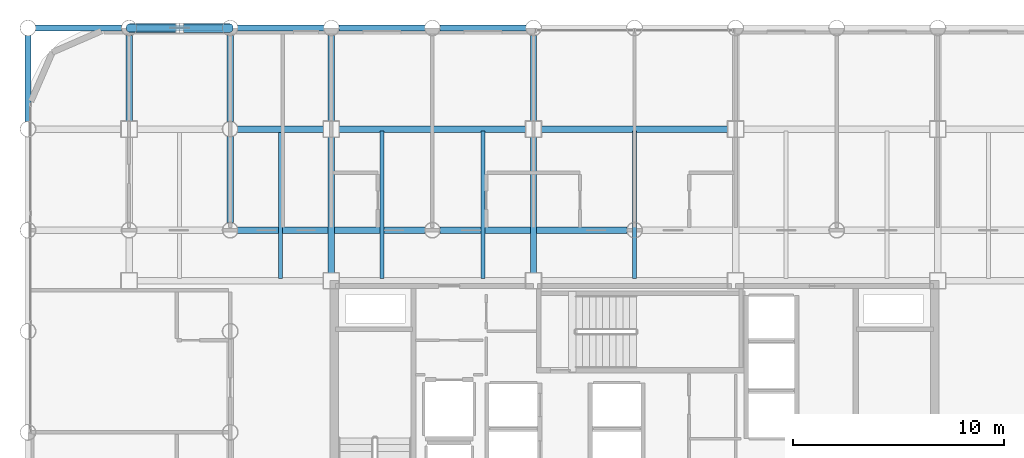
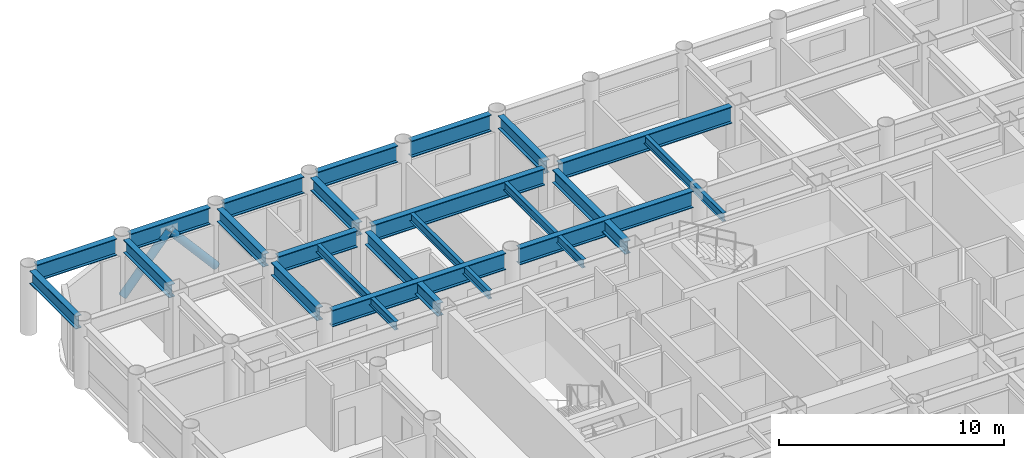
# One storey, part 10 of 21: 22 beams, 2 members.
"""IFC4 building model written with IfcOpenShell, lengths in metres."""

from ifc_helpers import new_model, si_unit, direction, frame, origin, origin_2d, place, context, subcontext, project, spatial, hollow_circle, i_section, extrude, material, material_profile, profile_set, type_object, element, save


model = new_model("IFC4")

# Units and contexts
model_context = context("Model", 3, precision=1e-05, world=origin(), true_north=direction((0.0, 1.0)))
body_context = subcontext(model_context, "Body", "Model", "MODEL_VIEW")
ifc_project = project(units=[si_unit("LENGTHUNIT", "METRE"), si_unit("AREAUNIT", "SQUARE_METRE"), si_unit("VOLUMEUNIT", "CUBIC_METRE"), si_unit("PLANEANGLEUNIT", "RADIAN"), si_unit("MASSUNIT", "GRAM", prefix="KILO")], contexts=[model_context])

# Site, building, storey
site_placement = place(None, origin())
site = spatial("IfcSite", under=ifc_project, at=site_placement, CompositionType="ELEMENT")
building_placement = place(site_placement, origin())
building = spatial("IfcBuilding", under=site, at=building_placement, Name="Kallvorn Hotel Tower", CompositionType="ELEMENT")
storey_placement = place(building_placement, frame((0.0, 0.0, 81.800048828125)))
storey = spatial("IfcBuildingStorey", under=building, at=storey_placement, Name="L19", CompositionType="ELEMENT", Elevation=81.800048828125)

# Beams
ifc_material_1 = material(Name="Structural steel S355JR", Category="steel")
ifc_material_profile_1 = material_profile(ifc_material_1, i_section(OverallWidth=0.300048828125, OverallDepth=0.699951171875, WebThickness=0.01708984375, FlangeThickness=0.031982421875, at=origin_2d()), Name="HE 700 B")
ifc_profile_set_1 = profile_set([ifc_material_profile_1], Name="Structural steel S355JR")
beam_type_1 = type_object("IfcBeamType", Name="BM_HE700B", PredefinedType="BEAM", material=ifc_profile_set_1)
beam_1_placement = place(storey_placement, frame((-28.800048828125, 14.756103515625, 3.169921875), z_axis=(0.0, 1.0, 0.0), x_axis=(-1.0, 0.0, 0.0)))
element("IfcBeam", 1, at=beam_1_placement, inside=storey, type_object=beam_type_1, Name="L20 Primary Y-Girder 80", PredefinedType="BEAM", context=body_context, shape_type="SweptSolid", body=[
    extrude(i_section(OverallWidth=0.300048828125, OverallDepth=0.699951171875, WebThickness=0.01708984375, FlangeThickness=0.031982421875, at=origin_2d()), origin(), (0.0, 0.0, 1.0), 4.087890625),
])
beam_2_placement = place(storey_placement, frame((-24.0, 14.77490234375, 3.169921875), z_axis=(0.0, 1.0, 0.0), x_axis=(-1.0, 0.0, 0.0)))
element("IfcBeam", 2, at=beam_2_placement, inside=storey, type_object=beam_type_1, Name="L20 Primary Y-Girder 87", PredefinedType="BEAM", context=body_context, shape_type="SweptSolid", body=[
    extrude(i_section(OverallWidth=0.300048828125, OverallDepth=0.699951171875, WebThickness=0.01708984375, FlangeThickness=0.031982421875, at=origin_2d()), origin(), (0.0, 0.0, 1.0), 4.069091796875),
])
for number, where, z_axis, x_axis, name in (
    (3, (-19.199951171875, 9.9560546875, 3.169921875), (0.0, 1.0, 0.0), (-1.0, 0.0, 0.0), "L20 Primary Y-Girder 95"),
    (4, (-19.199951171875, 14.756103515625, 3.169921875), (0.0, 1.0, 0.0), (-1.0, 0.0, 0.0), "L20 Primary Y-Girder 96"),
):
    element("IfcBeam", number, at=place(storey_placement, frame(where, z_axis=z_axis, x_axis=x_axis)), inside=storey, type_object=beam_type_1, Name=name, PredefinedType="BEAM", context=body_context, shape_type="SweptSolid", body=[
        extrude(i_section(OverallWidth=0.300048828125, OverallDepth=0.699951171875, WebThickness=0.01708984375, FlangeThickness=0.031982421875, at=origin_2d()), origin(), (0.0, 0.0, 1.0), 4.087890625),
    ])
beam_3_placement = place(storey_placement, frame((-14.39990234375, 7.574951171875, 3.169921875), z_axis=(0.0, 1.0, 0.0), x_axis=(-1.0, 0.0, 0.0)))
element("IfcBeam", 5, at=beam_3_placement, inside=storey, type_object=beam_type_1, Name="L20 Primary Y-Girder 100", PredefinedType="BEAM", context=body_context, shape_type="SweptSolid", body=[
    extrude(i_section(OverallWidth=0.300048828125, OverallDepth=0.699951171875, WebThickness=0.01708984375, FlangeThickness=0.031982421875, at=origin_2d()), origin(), (0.0, 0.0, 1.0), 6.449951171875),
])
beam_4_placement = place(storey_placement, frame((-14.39990234375, 14.77490234375, 3.169921875), z_axis=(0.0, 1.0, 0.0), x_axis=(-1.0, 0.0, 0.0)))
element("IfcBeam", 6, at=beam_4_placement, inside=storey, type_object=beam_type_1, Name="L20 Primary Y-Girder 101", PredefinedType="BEAM", context=body_context, shape_type="SweptSolid", body=[
    extrude(i_section(OverallWidth=0.300048828125, OverallDepth=0.699951171875, WebThickness=0.01708984375, FlangeThickness=0.031982421875, at=origin_2d()), origin(), (0.0, 0.0, 1.0), 4.069091796875),
])
beam_5_placement = place(storey_placement, frame((-4.800048828125, 7.574951171875, 3.169921875), z_axis=(0.0, 1.0, 0.0), x_axis=(-1.0, 0.0, 0.0)))
element("IfcBeam", 7, at=beam_5_placement, inside=storey, type_object=beam_type_1, Name="L20 Primary Y-Girder 108", PredefinedType="BEAM", context=body_context, shape_type="SweptSolid", body=[
    extrude(i_section(OverallWidth=0.300048828125, OverallDepth=0.699951171875, WebThickness=0.01708984375, FlangeThickness=0.031982421875, at=origin_2d()), origin(), (0.0, 0.0, 1.0), 6.449951171875),
])
beam_6_placement = place(storey_placement, frame((-4.800048828125, 14.77490234375, 3.169921875), z_axis=(0.0, 1.0, 0.0), x_axis=(-1.0, 0.0, 0.0)))
element("IfcBeam", 8, at=beam_6_placement, inside=storey, type_object=beam_type_1, Name="L20 Primary Y-Girder 109", PredefinedType="BEAM", context=body_context, shape_type="SweptSolid", body=[
    extrude(i_section(OverallWidth=0.300048828125, OverallDepth=0.699951171875, WebThickness=0.01708984375, FlangeThickness=0.031982421875, at=origin_2d()), origin(), (0.0, 0.0, 1.0), 4.069091796875),
])
ifc_material_2 = material(Name="Structural steel S355JR", Category="steel")
ifc_material_profile_2 = material_profile(ifc_material_2, i_section(OverallWidth=0.300048828125, OverallDepth=0.89990234375, WebThickness=0.0185546875, FlangeThickness=0.034912109375, at=origin_2d()), Name="HE 900 B")
ifc_profile_set_2 = profile_set([ifc_material_profile_2], Name="Structural steel S355JR")
beam_type_2 = type_object("IfcBeamType", Name="BM_HE900B", PredefinedType="BEAM", material=ifc_profile_set_2)
for number, where, z_axis, x_axis, name in (
    (9, (-18.843994140625, 9.60009765625, 3.070068359375), (1.0, 0.0, 0.0), (0.0, 1.0, 0.0), "L20 Primary X-Girder 44"),
    (10, (-9.243896484375, 9.60009765625, 3.070068359375), (1.0, 0.0, 0.0), (0.0, 1.0, 0.0), "L20 Primary X-Girder 45"),
):
    element("IfcBeam", number, at=place(storey_placement, frame(where, z_axis=z_axis, x_axis=x_axis)), inside=storey, type_object=beam_type_2, Name=name, PredefinedType="BEAM", context=body_context, shape_type="SweptSolid", body=[
        extrude(i_section(OverallWidth=0.300048828125, OverallDepth=0.89990234375, WebThickness=0.0185546875, FlangeThickness=0.034912109375, at=origin_2d()), origin(), (0.0, 0.0, 1.0), 8.887939453125),
    ])
beam_7_placement = place(storey_placement, frame((-18.843994140625, 14.39990234375, 3.070068359375), z_axis=(1.0, 0.0, 0.0), x_axis=(0.0, 1.0, 0.0)))
element("IfcBeam", 11, at=beam_7_placement, inside=storey, type_object=beam_type_2, Name="L20 Primary X-Girder 53", PredefinedType="BEAM", context=body_context, shape_type="SweptSolid", body=[
    extrude(i_section(OverallWidth=0.300048828125, OverallDepth=0.89990234375, WebThickness=0.0185546875, FlangeThickness=0.034912109375, at=origin_2d()), origin(), (0.0, 0.0, 1.0), 4.069091796875),
])
beam_8_placement = place(storey_placement, frame((-14.02490234375, 14.39990234375, 3.070068359375), z_axis=(1.0, 0.0, 0.0), x_axis=(0.0, 1.0, 0.0)))
element("IfcBeam", 12, at=beam_8_placement, inside=storey, type_object=beam_type_2, Name="L20 Primary X-Girder 54", PredefinedType="BEAM", context=body_context, shape_type="SweptSolid", body=[
    extrude(i_section(OverallWidth=0.300048828125, OverallDepth=0.89990234375, WebThickness=0.0185546875, FlangeThickness=0.034912109375, at=origin_2d()), origin(), (0.0, 0.0, 1.0), 8.849853515625),
])
beam_9_placement = place(storey_placement, frame((-4.425048828125, 14.39990234375, 3.070068359375), z_axis=(1.0, 0.0, 0.0), x_axis=(0.0, 1.0, 0.0)))
element("IfcBeam", 13, at=beam_9_placement, inside=storey, type_object=beam_type_2, Name="L20 Primary X-Girder 55", PredefinedType="BEAM", context=body_context, shape_type="SweptSolid", body=[
    extrude(i_section(OverallWidth=0.300048828125, OverallDepth=0.89990234375, WebThickness=0.0185546875, FlangeThickness=0.034912109375, at=origin_2d()), origin(), (0.0, 0.0, 1.0), 8.85009765625),
])
for number, where, z_axis, x_axis, name in (
    (14, (-28.444091796875, 19.199951171875, 3.070068359375), (1.0, 0.0, 0.0), (0.0, 1.0, 0.0), "L20 Primary X-Girder 61"),
    (15, (-23.64404296875, 19.199951171875, 3.070068359375), (1.0, 0.0, 0.0), (0.0, 1.0, 0.0), "L20 Primary X-Girder 62"),
):
    element("IfcBeam", number, at=place(storey_placement, frame(where, z_axis=z_axis, x_axis=x_axis)), inside=storey, type_object=beam_type_2, Name=name, PredefinedType="BEAM", context=body_context, shape_type="SweptSolid", body=[
        extrude(i_section(OverallWidth=0.300048828125, OverallDepth=0.89990234375, WebThickness=0.0185546875, FlangeThickness=0.034912109375, at=origin_2d()), origin(), (0.0, 0.0, 1.0), 4.088134765625),
    ])
for number, where, z_axis, x_axis, name in (
    (16, (-18.843994140625, 19.199951171875, 3.070068359375), (1.0, 0.0, 0.0), (0.0, 1.0, 0.0), "L20 Primary X-Girder 63"),
    (17, (-14.0439453125, 19.199951171875, 3.070068359375), (1.0, 0.0, 0.0), (0.0, 1.0, 0.0), "L20 Primary X-Girder 64"),
    (18, (-9.243896484375, 19.199951171875, 3.070068359375), (1.0, 0.0, 0.0), (0.0, 1.0, 0.0), "L20 Primary X-Girder 65"),
):
    element("IfcBeam", number, at=place(storey_placement, frame(where, z_axis=z_axis, x_axis=x_axis)), inside=storey, type_object=beam_type_2, Name=name, PredefinedType="BEAM", context=body_context, shape_type="SweptSolid", body=[
        extrude(i_section(OverallWidth=0.300048828125, OverallDepth=0.89990234375, WebThickness=0.0185546875, FlangeThickness=0.034912109375, at=origin_2d()), origin(), (0.0, 0.0, 1.0), 4.087890625),
    ])
ifc_material_3 = material(Name="Structural steel S355JR", Category="steel")
ifc_material_profile_3 = material_profile(ifc_material_3, i_section(OverallWidth=0.18994140625, OverallDepth=0.449951171875, WebThickness=0.009521484375, FlangeThickness=0.0146484375, at=origin_2d()), Name="IPE 450")
ifc_profile_set_3 = profile_set([ifc_material_profile_3], Name="Structural steel S355JR")
beam_type_3 = type_object("IfcBeamType", Name="BM_IPE450", PredefinedType="JOIST", material=ifc_profile_set_3)
for number, where, z_axis, x_axis, name in (
    (19, (-16.800048828125, 7.300048828125, 3.294921875), (0.0, 1.0, 0.0), (-1.0, 0.0, 0.0), "L20 Secondary Composite Joist 195"),
    (20, (-12.0, 7.300048828125, 3.294921875), (0.0, 1.0, 0.0), (-1.0, 0.0, 0.0), "L20 Secondary Composite Joist 197"),
    (21, (-7.199951171875, 7.300048828125, 3.294921875), (0.0, 1.0, 0.0), (-1.0, 0.0, 0.0), "L20 Secondary Composite Joist 199"),
    (22, (0.0, 7.300048828125, 3.294921875), (0.0, 1.0, 0.0), (-1.0, 0.0, 0.0), "L20 Secondary Composite Joist 201"),
):
    element("IfcBeam", number, at=place(storey_placement, frame(where, z_axis=z_axis, x_axis=x_axis)), inside=storey, type_object=beam_type_3, Name=name, PredefinedType="JOIST", context=body_context, shape_type="SweptSolid", body=[
        extrude(i_section(OverallWidth=0.18994140625, OverallDepth=0.449951171875, WebThickness=0.009521484375, FlangeThickness=0.0146484375, at=origin_2d()), origin(), (0.0, 0.0, 1.0), 7.0),
    ])

# Members
ifc_material_4 = material(Name="Structural steel S355J2H", Category="steel")
ifc_material_profile_4 = material_profile(ifc_material_4, hollow_circle(Radius=0.203125, WallThickness=0.01611328125, at=origin_2d()), Name="CHS 406.4x16")
ifc_profile_set_4 = profile_set([ifc_material_profile_4], Name="Structural steel S355J2H")
member_type = type_object("IfcMemberType", Name="MBR_EXO_CHS406", PredefinedType="BRACE", material=ifc_profile_set_4)
for number, where, z_axis, x_axis, name in (
    (23, (-23.98681640625, 19.199951171875, 0.195068359375), (0.65346062529, 0.0, 0.756960508346), (0.0, 1.0, 0.0), "L19 Exoskeleton K-Brace N1A"),
    (24, (-19.213134765625, 19.199951171875, 0.195068359375), (-0.65346062529, 0.0, 0.756960508346), (0.0, -1.0, 0.0), "L19 Exoskeleton K-Brace N1B"),
):
    element("IfcMember", number, at=place(storey_placement, frame(where, z_axis=z_axis, x_axis=x_axis)), inside=storey, type_object=member_type, Name=name, PredefinedType="BRACE", context=body_context, shape_type="SweptSolid", body=[
        extrude(hollow_circle(Radius=0.203125, WallThickness=0.01611328125, at=origin_2d()), origin(), (0.0, 0.0, 1.0), 3.632568359375),
    ])

save(model, "model.ifc")
